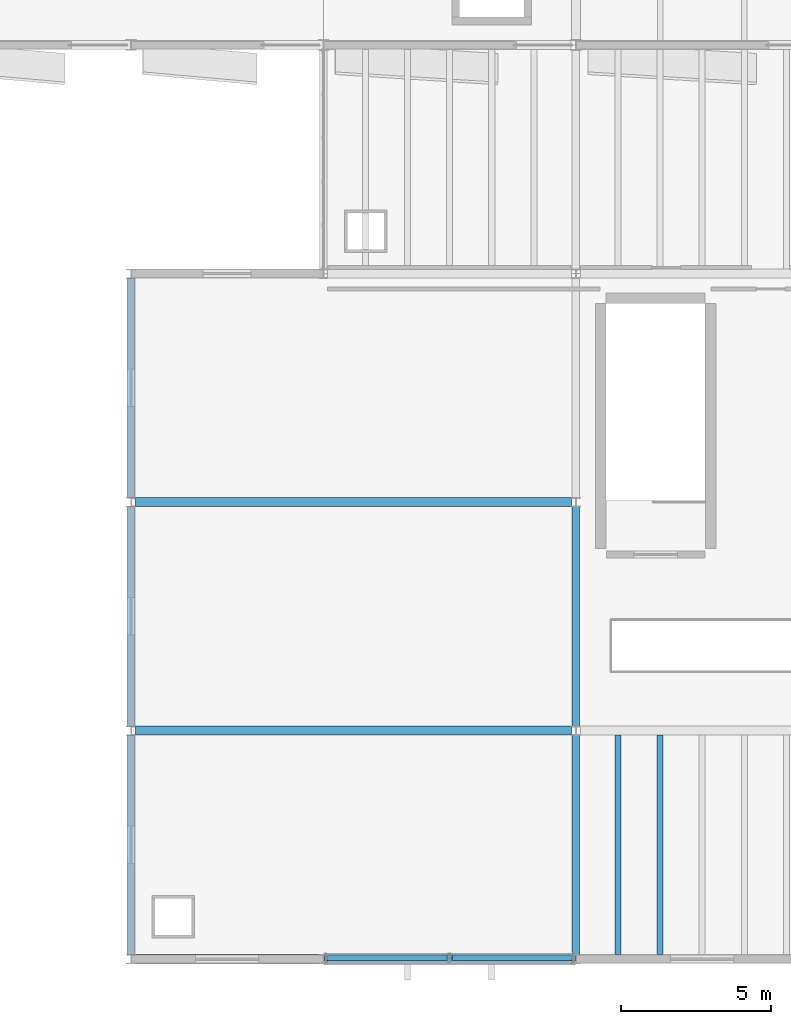
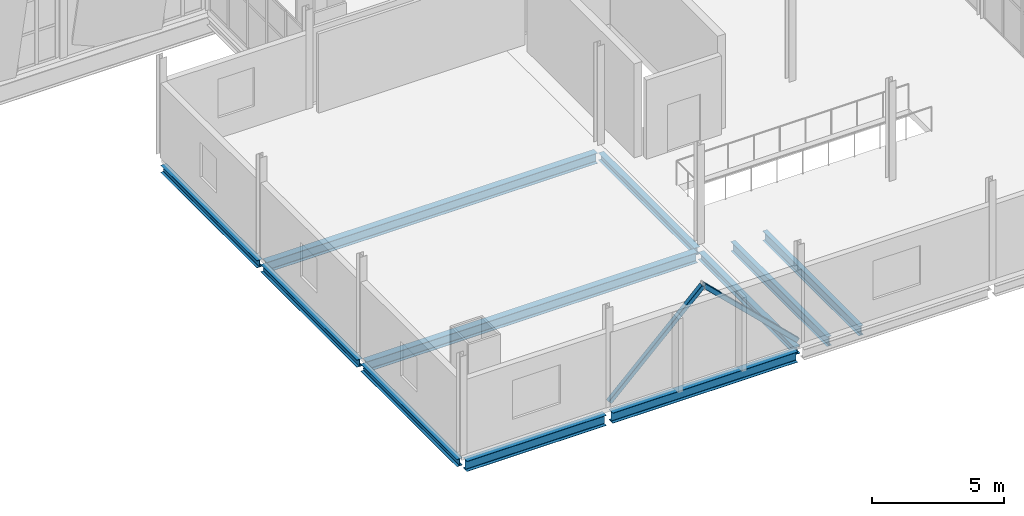
# One storey, part 8 of 136: 11 beams, 2 members.
"""IFC4 building model written with IfcOpenShell, lengths in metres."""

from ifc_helpers import new_model, si_unit, direction, frame, origin, origin_2d, place, context, subcontext, project, spatial, hollow_rectangle, i_section, extrude, material, material_profile, profile_set, type_object, element, save


model = new_model("IFC4")

# Units and contexts
model_context = context("Model", 3, precision=1e-05, world=origin(), true_north=direction((0.0, 1.0)))
body_context = subcontext(model_context, "Body", "Model", "MODEL_VIEW")
ifc_project = project(units=[si_unit("LENGTHUNIT", "METRE"), si_unit("AREAUNIT", "SQUARE_METRE"), si_unit("VOLUMEUNIT", "CUBIC_METRE"), si_unit("PLANEANGLEUNIT", "RADIAN"), si_unit("MASSUNIT", "GRAM", prefix="KILO")], contexts=[model_context])

# Site, building, storey
site_placement = place(None, origin())
site = spatial("IfcSite", under=ifc_project, at=site_placement, CompositionType="ELEMENT")
building_placement = place(site_placement, origin())
building = spatial("IfcBuilding", under=site, at=building_placement, Name="Shengluoqiao Park Theatre", CompositionType="ELEMENT")
storey_placement = place(building_placement, frame((0.0, 0.0, 10.0)))
storey = spatial("IfcBuildingStorey", under=building, at=storey_placement, Name="L02", CompositionType="ELEMENT", Elevation=10.0)

# Beams
ifc_material = material(Name="Steel Q355", Category="steel")
ifc_material_profile_1 = material_profile(ifc_material, i_section(OverallWidth=0.25, OverallDepth=0.340087890625, WebThickness=0.009033203125, FlangeThickness=0.013916015625, FilletRadius=0.01611328125, at=origin_2d()), Name="HM 340x250x9x14")
ifc_profile_set_1 = profile_set([ifc_material_profile_1], Name="Steel Q355")
beam_type_1 = type_object("IfcBeamType", Name="STR-BM-G-HM340", PredefinedType="BEAM", material=ifc_profile_set_1)
for number, where, z_axis, x_axis, name in (
    (1, (12.800048828125, 0.14404296875, -0.510009765625), (0.0, 1.0, 0.0), (-1.0, 0.0, 0.0), "L02 Transverse Girder 00898"),
    (2, (12.800048828125, 7.743896484375, -0.510009765625), (0.0, 1.0, 0.0), (-1.0, 0.0, 0.0), "L02 Transverse Girder 00899"),
    (3, (12.800048828125, 15.343994140625, -0.510009765625), (0.0, 1.0, 0.0), (-1.0, 0.0, 0.0), "L02 Transverse Girder 00900"),
    (4, (27.60009765625, 0.14404296875, -0.510009765625), (0.0, 1.0, 0.0), (-1.0, 0.0, 0.0), "L02 Transverse Girder 00901"),
    (5, (27.60009765625, 7.743896484375, -0.510009765625), (0.0, 1.0, 0.0), (-1.0, 0.0, 0.0), "L02 Transverse Girder 00902"),
):
    element("IfcBeam", number, at=place(storey_placement, frame(where, z_axis=z_axis, x_axis=x_axis)), inside=storey, type_object=beam_type_1, Name=name, PredefinedType="BEAM", context=body_context, shape_type="SweptSolid", body=[
        extrude(i_section(OverallWidth=0.25, OverallDepth=0.340087890625, WebThickness=0.009033203125, FlangeThickness=0.013916015625, FilletRadius=0.01611328125, at=origin_2d()), origin(), (0.0, 0.0, 1.0), 7.31201171875),
    ])
ifc_material_profile_2 = material_profile(ifc_material, i_section(OverallWidth=0.300048828125, OverallDepth=0.48193359375, WebThickness=0.010986328125, FlangeThickness=0.014892578125, FilletRadius=0.02197265625, at=origin_2d()), Name="HM 482x300x11x15")
ifc_profile_set_2 = profile_set([ifc_material_profile_2], Name="Steel Q355")
beam_type_2 = type_object("IfcBeamType", Name="STR-BM-G-HM482", PredefinedType="BEAM", material=ifc_profile_set_2)
beam_1_placement = place(storey_placement, frame((12.944091796875, 0.0, -0.5810546875), z_axis=(1.0, 0.0, 0.0), x_axis=(0.0, 1.0, 0.0)))
element("IfcBeam", 6, at=beam_1_placement, inside=storey, type_object=beam_type_2, Name="L02 Primary Girder 00892", PredefinedType="BEAM", context=body_context, shape_type="SweptSolid", body=[
    extrude(i_section(OverallWidth=0.300048828125, OverallDepth=0.48193359375, WebThickness=0.010986328125, FlangeThickness=0.014892578125, FilletRadius=0.02197265625, at=origin_2d()), origin(), (0.0, 0.0, 1.0), 6.11181640625),
])
beam_2_placement = place(storey_placement, frame((19.343994140625, 0.0, -0.5810546875), z_axis=(1.0, 0.0, 0.0), x_axis=(0.0, 1.0, 0.0)))
element("IfcBeam", 7, at=beam_2_placement, inside=storey, type_object=beam_type_2, Name="L02 Primary Girder 00893", PredefinedType="BEAM", context=body_context, shape_type="SweptSolid", body=[
    extrude(i_section(OverallWidth=0.300048828125, OverallDepth=0.48193359375, WebThickness=0.010986328125, FlangeThickness=0.014892578125, FilletRadius=0.02197265625, at=origin_2d()), origin(), (0.0, 0.0, 1.0), 8.112060546875),
])
for number, where, z_axis, x_axis, name in (
    (8, (12.944091796875, 7.60009765625, -0.5810546875), (1.0, 0.0, 0.0), (0.0, 1.0, 0.0), "L02 Primary Girder 00894"),
    (9, (12.944091796875, 15.199951171875, -0.5810546875), (1.0, 0.0, 0.0), (0.0, 1.0, 0.0), "L02 Primary Girder 00895"),
):
    element("IfcBeam", number, at=place(storey_placement, frame(where, z_axis=z_axis, x_axis=x_axis)), inside=storey, type_object=beam_type_2, Name=name, PredefinedType="BEAM", context=body_context, shape_type="SweptSolid", body=[
        extrude(i_section(OverallWidth=0.300048828125, OverallDepth=0.48193359375, WebThickness=0.010986328125, FlangeThickness=0.014892578125, FilletRadius=0.02197265625, at=origin_2d()), origin(), (0.0, 0.0, 1.0), 14.511962890625),
    ])
ifc_material_profile_3 = material_profile(ifc_material, i_section(OverallWidth=0.199951171875, OverallDepth=0.449951171875, WebThickness=0.009033203125, FlangeThickness=0.013916015625, FilletRadius=0.01611328125, at=origin_2d()), Name="HN 450x200x9x14")
ifc_profile_set_3 = profile_set([ifc_material_profile_3], Name="Steel Q355")
beam_type_3 = type_object("IfcBeamType", Name="STR-BM-J-HN450", PredefinedType="JOIST", material=ifc_profile_set_3)
for number, where, z_axis, x_axis, name in (
    (10, (29.0, 0.14501953125, -0.56494140625), (0.0, 1.0, 0.0), (-1.0, 0.0, 0.0), "L02 Composite Joist 00916"),
    (11, (30.39990234375, 0.14501953125, -0.56494140625), (0.0, 1.0, 0.0), (-1.0, 0.0, 0.0), "L02 Composite Joist 00917"),
):
    element("IfcBeam", number, at=place(storey_placement, frame(where, z_axis=z_axis, x_axis=x_axis)), inside=storey, type_object=beam_type_3, Name=name, PredefinedType="JOIST", context=body_context, shape_type="SweptSolid", body=[
        extrude(i_section(OverallWidth=0.199951171875, OverallDepth=0.449951171875, WebThickness=0.009033203125, FlangeThickness=0.013916015625, FilletRadius=0.01611328125, at=origin_2d()), origin(), (0.0, 0.0, 1.0), 7.31005859375),
    ])

# Members
ifc_material_profile_4 = material_profile(ifc_material, hollow_rectangle(XDim=0.199951171875, YDim=0.199951171875, WallThickness=0.010009765625, InnerFilletRadius=0.010009765625, OuterFilletRadius=0.02001953125, at=origin_2d()), Name="RHS 200x200x10")
ifc_profile_set_4 = profile_set([ifc_material_profile_4], Name="Steel Q355")
member_type = type_object("IfcMemberType", Name="STR-MEM-BRR-200", PredefinedType="BRACE", material=ifc_profile_set_4)
for number, where, z_axis, x_axis, name in (
    (12, (19.283935546875, 0.0400390625, 0.100830078125), (0.718921975045, 0.0, 0.695090780976), (0.0, 1.0, 0.0), "L02 Chevron Brace 0035"),
    (13, (27.51611328125, 0.0400390625, 0.100830078125), (-0.718942682847, 0.0, 0.695069362568), (0.0, -1.0, 0.0), "L02 Chevron Brace 0036"),
):
    element("IfcMember", number, at=place(storey_placement, frame(where, z_axis=z_axis, x_axis=x_axis)), inside=storey, type_object=member_type, Name=name, PredefinedType="BRACE", context=body_context, shape_type="SweptSolid", body=[
        extrude(hollow_rectangle(XDim=0.199951171875, YDim=0.199951171875, WallThickness=0.010009765625, InnerFilletRadius=0.010009765625, OuterFilletRadius=0.02001953125, at=origin_2d()), origin(), (0.0, 0.0, 1.0), 5.696044921875),
    ])

save(model, "model.ifc")
